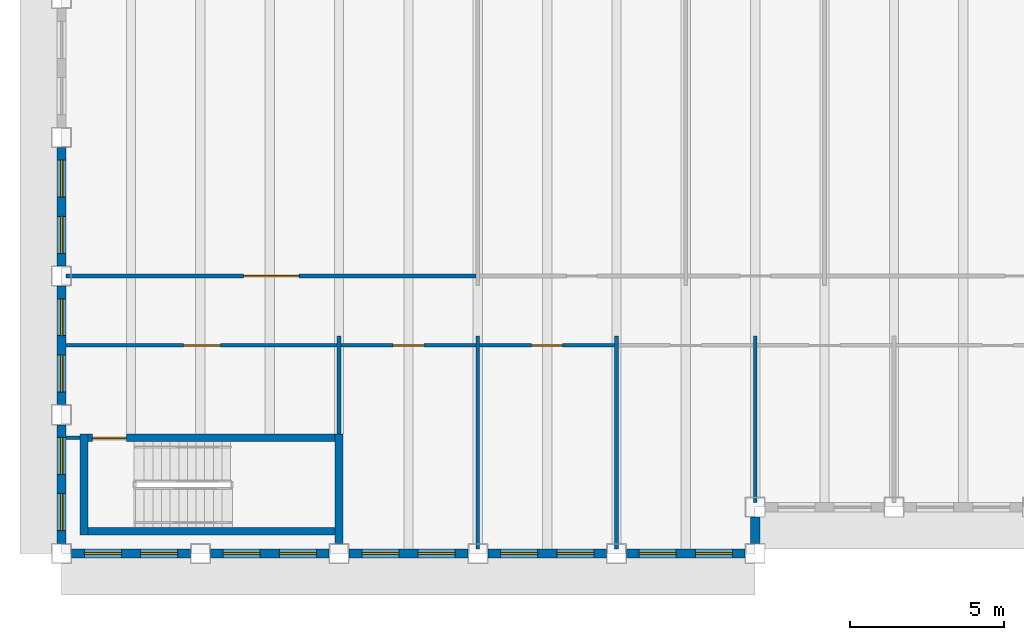
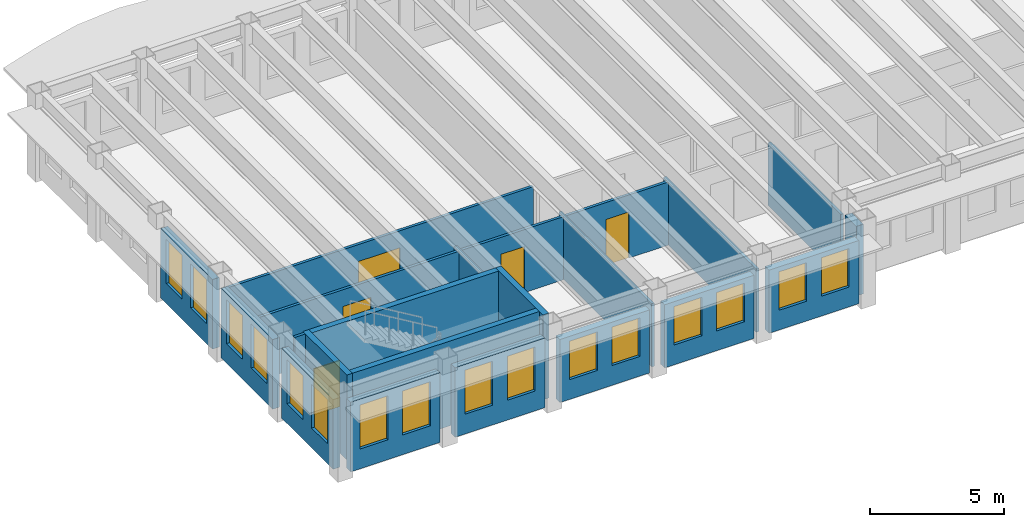
# One storey, part 2 of 12: 22 walls, 16 windows, 5 doors, 21 openings.
"""IFC4 building model written with IfcOpenShell, lengths in metres."""

from ifc_helpers import new_model, si_unit, direction, frame, frame_2d, origin, place, context, subcontext, project, spatial, rectangle, extrude, material, layer, layer_set, type_object, element, fill, save


model = new_model("IFC4")

# Units and contexts
model_context = context("Model", 3, precision=1e-05, world=origin(), true_north=direction((0.0, 1.0)))
body_context = subcontext(model_context, "Body", "Model", "MODEL_VIEW")
ifc_project = project(units=[si_unit("LENGTHUNIT", "METRE"), si_unit("AREAUNIT", "SQUARE_METRE"), si_unit("VOLUMEUNIT", "CUBIC_METRE"), si_unit("PLANEANGLEUNIT", "RADIAN"), si_unit("MASSUNIT", "GRAM", prefix="KILO")], contexts=[model_context])

# Site, building, storey
site_placement = place(None, origin())
site = spatial("IfcSite", under=ifc_project, at=site_placement, CompositionType="ELEMENT")
building_placement = place(site_placement, origin())
building = spatial("IfcBuilding", under=site, at=building_placement, Name="Sennacour Bend Tower", CompositionType="ELEMENT")
storey_placement = place(building_placement, frame((0.0, 0.0, 269.0)))
storey = spatial("IfcBuildingStorey", under=building, at=storey_placement, Name="L62", CompositionType="ELEMENT", Elevation=269.0)

# Walls
ifc_material_1 = material(Name="Plasterboard partition on steel studs", Category="steel")
ifc_layer_1 = layer(ifc_material_1, 0.1201171875, Name="Plasterboard partition on steel studs", Category="steel")
ifc_layer_set_1 = layer_set([ifc_layer_1], Name="Plasterboard partition on steel studs")
wall_type_1 = type_object("IfcWallType", Name="Partition 120", PredefinedType="PARTITIONING", material=ifc_layer_set_1)
wall_1_placement = place(storey_placement, frame((9.0, 3.875, 0.0), z_axis=(0.0, 0.0, 1.0), x_axis=(0.0, 1.0, 0.0)))
element("IfcWall", 1, at=wall_1_placement, inside=storey, type_object=wall_type_1, Name="P-L62-W005a", PredefinedType="PARTITIONING", context=body_context, shape_type="SweptSolid", body=[
    extrude(rectangle(XDim=3.175048828125, YDim=0.1201171875, at=frame_2d((1.58740234375, 0.0))), origin(), (0.0, 0.0, 1.0), 2.8701171875),
])
for number, where, z_axis, x_axis, name in (
    (2, (13.5, 0.14990234375, 0.0), (0.0, 0.0, 1.0), (0.0, 1.0, 0.0), "P-L62-W006a"),
    (3, (18.0, 0.14990234375, 0.0), (0.0, 0.0, 1.0), (0.0, 1.0, 0.0), "P-L62-W008a"),
):
    element("IfcWall", number, at=place(storey_placement, frame(where, z_axis=z_axis, x_axis=x_axis)), inside=storey, type_object=wall_type_1, Name=name, PredefinedType="PARTITIONING", context=body_context, shape_type="SweptSolid", body=[
        extrude(rectangle(XDim=6.900146484375, YDim=0.1201171875, at=frame_2d((3.4501953125, 0.0))), origin(), (0.0, 0.0, 1.0), 2.8701171875),
    ])
wall_2_placement = place(storey_placement, frame((22.5, 1.64990234375, 0.0), z_axis=(0.0, 0.0, 1.0), x_axis=(0.0, 1.0, 0.0)))
element("IfcWall", 4, at=wall_2_placement, inside=storey, type_object=wall_type_1, Name="P-L62-W010a", PredefinedType="PARTITIONING", context=body_context, shape_type="SweptSolid", body=[
    extrude(rectangle(XDim=5.400146484375, YDim=0.1201171875, at=frame_2d((2.7001953125, 0.0))), origin(), (0.0, 0.0, 1.0), 2.8701171875),
])
wall_3_placement = place(storey_placement, frame((0.14990234375, 3.75, 0.0), z_axis=(0.0, 0.0, 1.0), x_axis=(1.0, 0.0, 0.0)))
element("IfcWall", 5, at=wall_3_placement, inside=storey, type_object=wall_type_1, Name="P-L62-W037a", PredefinedType="PARTITIONING", context=body_context, shape_type="SweptSolid", body=[
    extrude(rectangle(XDim=0.4501953125, YDim=0.1201171875, at=frame_2d((0.22509765625, 0.0))), origin(), (0.0, 0.0, 1.0), 3.85009765625),
])

# Wall, opening, door
wall_4_placement = place(storey_placement, frame((9.06005859375, 6.75, 0.0), z_axis=(0.0, 0.0, 1.0), x_axis=(1.0, 0.0, 0.0)))
wall_4 = element("IfcWall", 6, at=wall_4_placement, inside=storey, type_object=wall_type_1, Name="P-L62-W043ab", PredefinedType="PARTITIONING", context=body_context, shape_type="SweptSolid", body=[
    extrude(rectangle(XDim=4.3798828125, YDim=0.1201171875, at=frame_2d((2.18994140625, 0.0))), origin(), (0.0, 0.0, 1.0), 2.8701171875),
])
opening_1_placement = place(wall_4_placement, frame((1.68994140625, 0.0, 0.0)))
opening_1 = element("IfcOpeningElement", 7, at=opening_1_placement, cuts=wall_4, Name="Opening OD2", PredefinedType="OPENING", context=body_context, shape_type="SweptSolid", body=[
    extrude(rectangle(XDim=1.0, YDim=2.10009765625, at=frame_2d((0.5, 1.050048828125))), frame((0.0, 0.070068359375, 0.0), z_axis=(0.0, -1.0, 0.0), x_axis=(1.0, 0.0, 0.0)), (0.0, 0.0, 1.0), 0.14013671875),
])
ifc_material_2 = material(Name="Timber", Category="wood")
door_type_1 = type_object("IfcDoorType", Name="DR-OFFICE-1000", OperationType="NOTDEFINED", PredefinedType="DOOR", material=ifc_material_2)
door_1_placement = place(opening_1_placement, origin())
door_1 = element("IfcDoor", 8, at=door_1_placement, inside=storey, type_object=door_type_1, Name="Door", OperationType="SINGLE_SWING_LEFT", OverallHeight=2.10009765625, OverallWidth=1.0, PredefinedType="DOOR", context=body_context, shape_type="SweptSolid", body=[
    extrude(rectangle(XDim=1.0, YDim=2.10009765625, at=frame_2d((0.5, 1.050048828125))), frame((0.0, 0.02490234375, 0.0), z_axis=(0.0, -1.0, 0.0), x_axis=(1.0, 0.0, 0.0)), (0.0, 0.0, 1.0), 0.050048828125),
])
fill(opening_1, door_1)

wall_5_placement = place(storey_placement, frame((13.56005859375, 6.75, 0.0), z_axis=(0.0, 0.0, 1.0), x_axis=(1.0, 0.0, 0.0)))
wall_5 = element("IfcWall", 9, at=wall_5_placement, inside=storey, type_object=wall_type_1, Name="P-L62-W043ac", PredefinedType="PARTITIONING", context=body_context, shape_type="SweptSolid", body=[
    extrude(rectangle(XDim=4.3798828125, YDim=0.1201171875, at=frame_2d((2.18994140625, 0.0))), origin(), (0.0, 0.0, 1.0), 2.8701171875),
])
opening_2_placement = place(wall_5_placement, frame((1.68994140625, 0.0, 0.0)))
opening_2 = element("IfcOpeningElement", 10, at=opening_2_placement, cuts=wall_5, Name="Opening OD2", PredefinedType="OPENING", context=body_context, shape_type="SweptSolid", body=[
    extrude(rectangle(XDim=1.0, YDim=2.10009765625, at=frame_2d((0.5, 1.050048828125))), frame((0.0, 0.070068359375, 0.0), z_axis=(0.0, -1.0, 0.0), x_axis=(1.0, 0.0, 0.0)), (0.0, 0.0, 1.0), 0.14013671875),
])
door_2_placement = place(opening_2_placement, origin())
door_2 = element("IfcDoor", 11, at=door_2_placement, inside=storey, type_object=door_type_1, Name="Door", OperationType="SINGLE_SWING_LEFT", OverallHeight=2.10009765625, OverallWidth=1.0, PredefinedType="DOOR", context=body_context, shape_type="SweptSolid", body=[
    extrude(rectangle(XDim=1.0, YDim=2.10009765625, at=frame_2d((0.5, 1.050048828125))), frame((0.0, 0.02490234375, 0.0), z_axis=(0.0, -1.0, 0.0), x_axis=(1.0, 0.0, 0.0)), (0.0, 0.0, 1.0), 0.050048828125),
])
fill(opening_2, door_2)

wall_6_placement = place(storey_placement, frame((0.14990234375, 9.0, 0.0), z_axis=(0.0, 0.0, 1.0), x_axis=(1.0, 0.0, 0.0)))
wall_6 = element("IfcWall", 12, at=wall_6_placement, inside=storey, type_object=wall_type_1, Name="P-L62-W044aa", PredefinedType="PARTITIONING", context=body_context, shape_type="SweptSolid", body=[
    extrude(rectangle(XDim=13.2900390625, YDim=0.1201171875, at=frame_2d((6.64501953125, 0.0))), origin(), (0.0, 0.0, 1.0), 2.8701171875),
])
opening_3_placement = place(wall_6_placement, frame((5.755126953125, 0.0, 0.0)))
opening_3 = element("IfcOpeningElement", 13, at=opening_3_placement, cuts=wall_6, Name="Opening OD3", PredefinedType="OPENING", context=body_context, shape_type="SweptSolid", body=[
    extrude(rectangle(XDim=1.800048828125, YDim=2.10009765625, at=frame_2d((0.89990234375, 1.050048828125))), frame((0.0, 0.070068359375, 0.0), z_axis=(0.0, -1.0, 0.0), x_axis=(1.0, 0.0, 0.0)), (0.0, 0.0, 1.0), 0.14013671875),
])
door_type_2 = type_object("IfcDoorType", Name="DR-OFFICE-1800", OperationType="NOTDEFINED", PredefinedType="DOOR", material=ifc_material_2)
door_3_placement = place(opening_3_placement, origin())
door_3 = element("IfcDoor", 14, at=door_3_placement, inside=storey, type_object=door_type_2, Name="Door", OperationType="DOUBLE_DOOR_SINGLE_SWING", OverallHeight=2.10009765625, OverallWidth=1.800048828125, PredefinedType="DOOR", context=body_context, shape_type="SweptSolid", body=[
    extrude(rectangle(XDim=1.800048828125, YDim=2.10009765625, at=frame_2d((0.89990234375, 1.050048828125))), frame((0.0, 0.02490234375, 0.0), z_axis=(0.0, -1.0, 0.0), x_axis=(1.0, 0.0, 0.0)), (0.0, 0.0, 1.0), 0.050048828125),
])
fill(opening_3, door_3)

ifc_layer_2 = layer(ifc_material_1, 0.1201171875, Name="Plasterboard partition on steel studs", Category="steel")
ifc_layer_set_2 = layer_set([ifc_layer_2], Name="Plasterboard partition on steel studs")
wall_type_2 = type_object("IfcWallType", Name="Partition 120 EI 30", PredefinedType="PARTITIONING", material=ifc_layer_set_2)
wall_7_placement = place(storey_placement, frame((0.14990234375, 6.75, 0.0), z_axis=(0.0, 0.0, 1.0), x_axis=(1.0, 0.0, 0.0)))
wall_7 = element("IfcWall", 15, at=wall_7_placement, inside=storey, type_object=wall_type_2, Name="P-L62-W043aa", PredefinedType="PARTITIONING", context=body_context, shape_type="SweptSolid", body=[
    extrude(rectangle(XDim=8.7900390625, YDim=0.1201171875, at=frame_2d((4.39501953125, 0.0))), origin(), (0.0, 0.0, 1.0), 2.8701171875),
])
opening_4_placement = place(wall_7_placement, frame((3.80517578125, 0.0, 0.0)))
opening_4 = element("IfcOpeningElement", 16, at=opening_4_placement, cuts=wall_7, Name="Opening KD2", PredefinedType="OPENING", context=body_context, shape_type="SweptSolid", body=[
    extrude(rectangle(XDim=1.199951171875, YDim=2.10009765625, at=frame_2d((0.60009765625, 1.050048828125))), frame((0.0, 0.070068359375, 0.0), z_axis=(0.0, -1.0, 0.0), x_axis=(1.0, 0.0, 0.0)), (0.0, 0.0, 1.0), 0.14013671875),
])
ifc_material_3 = material(Name="Painted steel", Category="steel")
door_type_3 = type_object("IfcDoorType", Name="DR-CORRIDOR-1200", OperationType="NOTDEFINED", PredefinedType="DOOR", material=ifc_material_3)
door_4_placement = place(opening_4_placement, origin())
door_4 = element("IfcDoor", 17, at=door_4_placement, inside=storey, type_object=door_type_3, Name="Door", OperationType="SINGLE_SWING_LEFT", OverallHeight=2.10009765625, OverallWidth=1.199951171875, PredefinedType="DOOR", context=body_context, shape_type="SweptSolid", body=[
    extrude(rectangle(XDim=1.199951171875, YDim=2.10009765625, at=frame_2d((0.60009765625, 1.050048828125))), frame((0.0, 0.02490234375, 0.0), z_axis=(0.0, -1.0, 0.0), x_axis=(1.0, 0.0, 0.0)), (0.0, 0.0, 1.0), 0.050048828125),
])
fill(opening_4, door_4)

# Wall
ifc_material_4 = material(Name="Warm limestone cladding", Category="masonry")
ifc_layer_3 = layer(ifc_material_4, 0.050048828125, Name="Warm limestone cladding", Category="masonry")
ifc_material_5 = material(Name="Precast concrete C40/50", Category="concrete")
ifc_layer_4 = layer(ifc_material_5, 0.25, Name="Precast concrete C40/50", Category="concrete")
ifc_layer_set_3 = layer_set([ifc_layer_3, ifc_layer_4], Name="Precast concrete C40/50 with limestone cladding")
wall_type_3 = type_object("IfcWallType", Name="STONE-CLAD PRECAST SPANDREL 300", PredefinedType="STANDARD", material=ifc_layer_set_3)
wall_8_placement = place(storey_placement, frame((22.5, 0.324951171875, 0.0), z_axis=(0.0, 0.0, 1.0), x_axis=(0.0, 1.0, 0.0)))
element("IfcWall", 18, at=wall_8_placement, inside=storey, type_object=wall_type_3, Name="Stone spandrel and pier wall L62 00.00", PredefinedType="STANDARD", context=body_context, shape_type="SweptSolid", body=[
    extrude(rectangle(XDim=0.85009765625, YDim=0.300048828125, at=frame_2d((0.425048828125, 0.0))), origin(), (0.0, 0.0, 1.0), 3.162109375),
])

# Wall, openings, windows
wall_9_placement = place(storey_placement, frame((0.0, 13.175048828125, 0.0), z_axis=(0.0, 0.0, 1.0), x_axis=(0.0, -1.0, 0.0)))
wall_9 = element("IfcWall", 19, at=wall_9_placement, inside=storey, type_object=wall_type_3, Name="Stone spandrel and pier wall L62 10.02", PredefinedType="STANDARD", context=body_context, shape_type="SweptSolid", body=[
    extrude(rectangle(XDim=3.85009765625, YDim=0.300048828125, at=frame_2d((1.925048828125, 0.0))), origin(), (0.0, 0.0, 1.0), 3.162109375),
])
opening_5_placement = place(wall_9_placement, frame((0.41259765625, 0.0, 0.89990234375)))
opening_5 = element("IfcOpeningElement", 20, at=opening_5_placement, cuts=wall_9, Name="Opening W14", PredefinedType="OPENING", context=body_context, shape_type="SweptSolid", body=[
    extrude(rectangle(XDim=1.199951171875, YDim=2.0, at=frame_2d((0.60009765625, 1.0))), frame((0.0, 0.16015625, 0.0), z_axis=(0.0, -1.0, 0.0), x_axis=(1.0, 0.0, 0.0)), (0.0, 0.0, 1.0), 0.320068359375),
])
opening_6_placement = place(wall_9_placement, frame((2.237548828125, 0.0, 0.89990234375)))
opening_6 = element("IfcOpeningElement", 21, at=opening_6_placement, cuts=wall_9, Name="Opening W14", PredefinedType="OPENING", context=body_context, shape_type="SweptSolid", body=[
    extrude(rectangle(XDim=1.199951171875, YDim=2.0, at=frame_2d((0.60009765625, 1.0))), frame((0.0, 0.16015625, 0.0), z_axis=(0.0, -1.0, 0.0), x_axis=(1.0, 0.0, 0.0)), (0.0, 0.0, 1.0), 0.320068359375),
])
ifc_material_6 = material(Name="Clear low-emissivity glass", Category="glass")
window_type_1 = type_object("IfcWindowType", Name="WIN-RIBBON-1200x2000", PartitioningType="SINGLE_PANEL", PredefinedType="WINDOW", material=ifc_material_6)
window_1_placement = place(opening_5_placement, origin())
window_1 = element("IfcWindow", 22, at=window_1_placement, inside=storey, type_object=window_type_1, Name="Ribbon window L62 10.02.0", OverallHeight=2.0, OverallWidth=1.199951171875, PartitioningType="SINGLE_PANEL", PredefinedType="WINDOW", context=body_context, shape_type="SweptSolid", body=[
    extrude(rectangle(XDim=1.199951171875, YDim=2.0, at=frame_2d((0.60009765625, 1.0))), frame((0.0, 0.030029296875, 0.0), z_axis=(0.0, -1.0, 0.0), x_axis=(1.0, 0.0, 0.0)), (0.0, 0.0, 1.0), 0.06005859375),
])
fill(opening_5, window_1)
window_2_placement = place(opening_6_placement, origin())
window_2 = element("IfcWindow", 23, at=window_2_placement, inside=storey, type_object=window_type_1, Name="Ribbon window L62 10.02.1", OverallHeight=2.0, OverallWidth=1.199951171875, PartitioningType="SINGLE_PANEL", PredefinedType="WINDOW", context=body_context, shape_type="SweptSolid", body=[
    extrude(rectangle(XDim=1.199951171875, YDim=2.0, at=frame_2d((0.60009765625, 1.0))), frame((0.0, 0.030029296875, 0.0), z_axis=(0.0, -1.0, 0.0), x_axis=(1.0, 0.0, 0.0)), (0.0, 0.0, 1.0), 0.06005859375),
])
fill(opening_6, window_2)

wall_10_placement = place(storey_placement, frame((0.0, 8.675048828125, 0.0), z_axis=(0.0, 0.0, 1.0), x_axis=(0.0, -1.0, 0.0)))
wall_10 = element("IfcWall", 24, at=wall_10_placement, inside=storey, type_object=wall_type_3, Name="Stone spandrel and pier wall L62 10.03", PredefinedType="STANDARD", context=body_context, shape_type="SweptSolid", body=[
    extrude(rectangle(XDim=3.85009765625, YDim=0.300048828125, at=frame_2d((1.925048828125, 0.0))), origin(), (0.0, 0.0, 1.0), 3.162109375),
])
opening_7_placement = place(wall_10_placement, frame((0.41259765625, 0.0, 0.89990234375)))
opening_7 = element("IfcOpeningElement", 25, at=opening_7_placement, cuts=wall_10, Name="Opening W14", PredefinedType="OPENING", context=body_context, shape_type="SweptSolid", body=[
    extrude(rectangle(XDim=1.199951171875, YDim=2.0, at=frame_2d((0.60009765625, 1.0))), frame((0.0, 0.16015625, 0.0), z_axis=(0.0, -1.0, 0.0), x_axis=(1.0, 0.0, 0.0)), (0.0, 0.0, 1.0), 0.320068359375),
])
opening_8_placement = place(wall_10_placement, frame((2.237548828125, 0.0, 0.89990234375)))
opening_8 = element("IfcOpeningElement", 26, at=opening_8_placement, cuts=wall_10, Name="Opening W14", PredefinedType="OPENING", context=body_context, shape_type="SweptSolid", body=[
    extrude(rectangle(XDim=1.199951171875, YDim=2.0, at=frame_2d((0.60009765625, 1.0))), frame((0.0, 0.16015625, 0.0), z_axis=(0.0, -1.0, 0.0), x_axis=(1.0, 0.0, 0.0)), (0.0, 0.0, 1.0), 0.320068359375),
])
window_3_placement = place(opening_7_placement, origin())
window_3 = element("IfcWindow", 27, at=window_3_placement, inside=storey, type_object=window_type_1, Name="Ribbon window L62 10.03.0", OverallHeight=2.0, OverallWidth=1.199951171875, PartitioningType="SINGLE_PANEL", PredefinedType="WINDOW", context=body_context, shape_type="SweptSolid", body=[
    extrude(rectangle(XDim=1.199951171875, YDim=2.0, at=frame_2d((0.60009765625, 1.0))), frame((0.0, 0.030029296875, 0.0), z_axis=(0.0, -1.0, 0.0), x_axis=(1.0, 0.0, 0.0)), (0.0, 0.0, 1.0), 0.06005859375),
])
fill(opening_7, window_3)
window_4_placement = place(opening_8_placement, origin())
window_4 = element("IfcWindow", 28, at=window_4_placement, inside=storey, type_object=window_type_1, Name="Ribbon window L62 10.03.1", OverallHeight=2.0, OverallWidth=1.199951171875, PartitioningType="SINGLE_PANEL", PredefinedType="WINDOW", context=body_context, shape_type="SweptSolid", body=[
    extrude(rectangle(XDim=1.199951171875, YDim=2.0, at=frame_2d((0.60009765625, 1.0))), frame((0.0, 0.030029296875, 0.0), z_axis=(0.0, -1.0, 0.0), x_axis=(1.0, 0.0, 0.0)), (0.0, 0.0, 1.0), 0.06005859375),
])
fill(opening_8, window_4)

wall_11_placement = place(storey_placement, frame((0.0, 4.175048828125, 0.0), z_axis=(0.0, 0.0, 1.0), x_axis=(0.0, -1.0, 0.0)))
wall_11 = element("IfcWall", 29, at=wall_11_placement, inside=storey, type_object=wall_type_3, Name="Stone spandrel and pier wall L62 10.04", PredefinedType="STANDARD", context=body_context, shape_type="SweptSolid", body=[
    extrude(rectangle(XDim=3.85009765625, YDim=0.300048828125, at=frame_2d((1.925048828125, 0.0))), origin(), (0.0, 0.0, 1.0), 3.162109375),
])
opening_9_placement = place(wall_11_placement, frame((0.41259765625, 0.0, 0.89990234375)))
opening_9 = element("IfcOpeningElement", 30, at=opening_9_placement, cuts=wall_11, Name="Opening W14", PredefinedType="OPENING", context=body_context, shape_type="SweptSolid", body=[
    extrude(rectangle(XDim=1.199951171875, YDim=2.0, at=frame_2d((0.60009765625, 1.0))), frame((0.0, 0.16015625, 0.0), z_axis=(0.0, -1.0, 0.0), x_axis=(1.0, 0.0, 0.0)), (0.0, 0.0, 1.0), 0.320068359375),
])
opening_10_placement = place(wall_11_placement, frame((2.237548828125, 0.0, 0.89990234375)))
opening_10 = element("IfcOpeningElement", 31, at=opening_10_placement, cuts=wall_11, Name="Opening W14", PredefinedType="OPENING", context=body_context, shape_type="SweptSolid", body=[
    extrude(rectangle(XDim=1.199951171875, YDim=2.0, at=frame_2d((0.60009765625, 1.0))), frame((0.0, 0.16015625, 0.0), z_axis=(0.0, -1.0, 0.0), x_axis=(1.0, 0.0, 0.0)), (0.0, 0.0, 1.0), 0.320068359375),
])
window_5_placement = place(opening_9_placement, origin())
window_5 = element("IfcWindow", 32, at=window_5_placement, inside=storey, type_object=window_type_1, Name="Ribbon window L62 10.04.0", OverallHeight=2.0, OverallWidth=1.199951171875, PartitioningType="SINGLE_PANEL", PredefinedType="WINDOW", context=body_context, shape_type="SweptSolid", body=[
    extrude(rectangle(XDim=1.199951171875, YDim=2.0, at=frame_2d((0.60009765625, 1.0))), frame((0.0, 0.030029296875, 0.0), z_axis=(0.0, -1.0, 0.0), x_axis=(1.0, 0.0, 0.0)), (0.0, 0.0, 1.0), 0.06005859375),
])
fill(opening_9, window_5)
window_6_placement = place(opening_10_placement, origin())
window_6 = element("IfcWindow", 33, at=window_6_placement, inside=storey, type_object=window_type_1, Name="Ribbon window L62 10.04.1", OverallHeight=2.0, OverallWidth=1.199951171875, PartitioningType="SINGLE_PANEL", PredefinedType="WINDOW", context=body_context, shape_type="SweptSolid", body=[
    extrude(rectangle(XDim=1.199951171875, YDim=2.0, at=frame_2d((0.60009765625, 1.0))), frame((0.0, 0.030029296875, 0.0), z_axis=(0.0, -1.0, 0.0), x_axis=(1.0, 0.0, 0.0)), (0.0, 0.0, 1.0), 0.06005859375),
])
fill(opening_10, window_6)

wall_12_placement = place(storey_placement, frame((0.324951171875, 0.0, 0.0), z_axis=(0.0, 0.0, 1.0), x_axis=(1.0, 0.0, 0.0)))
wall_12 = element("IfcWall", 34, at=wall_12_placement, inside=storey, type_object=wall_type_3, Name="Stone spandrel and pier wall L62 11.00", PredefinedType="STANDARD", context=body_context, shape_type="SweptSolid", body=[
    extrude(rectangle(XDim=3.85009765625, YDim=0.300048828125, at=frame_2d((1.925048828125, 0.0))), origin(), (0.0, 0.0, 1.0), 3.162109375),
])
opening_11_placement = place(wall_12_placement, frame((0.41259765625, 0.0, 0.89990234375)))
opening_11 = element("IfcOpeningElement", 35, at=opening_11_placement, cuts=wall_12, Name="Opening W14", PredefinedType="OPENING", context=body_context, shape_type="SweptSolid", body=[
    extrude(rectangle(XDim=1.199951171875, YDim=2.0, at=frame_2d((0.60009765625, 1.0))), frame((0.0, 0.16015625, 0.0), z_axis=(0.0, -1.0, 0.0), x_axis=(1.0, 0.0, 0.0)), (0.0, 0.0, 1.0), 0.320068359375),
])
opening_12_placement = place(wall_12_placement, frame((2.237548828125, 0.0, 0.89990234375)))
opening_12 = element("IfcOpeningElement", 36, at=opening_12_placement, cuts=wall_12, Name="Opening W14", PredefinedType="OPENING", context=body_context, shape_type="SweptSolid", body=[
    extrude(rectangle(XDim=1.199951171875, YDim=2.0, at=frame_2d((0.60009765625, 1.0))), frame((0.0, 0.16015625, 0.0), z_axis=(0.0, -1.0, 0.0), x_axis=(1.0, 0.0, 0.0)), (0.0, 0.0, 1.0), 0.320068359375),
])
window_7_placement = place(opening_11_placement, origin())
window_7 = element("IfcWindow", 37, at=window_7_placement, inside=storey, type_object=window_type_1, Name="Ribbon window L62 11.00.0", OverallHeight=2.0, OverallWidth=1.199951171875, PartitioningType="SINGLE_PANEL", PredefinedType="WINDOW", context=body_context, shape_type="SweptSolid", body=[
    extrude(rectangle(XDim=1.199951171875, YDim=2.0, at=frame_2d((0.60009765625, 1.0))), frame((0.0, 0.030029296875, 0.0), z_axis=(0.0, -1.0, 0.0), x_axis=(1.0, 0.0, 0.0)), (0.0, 0.0, 1.0), 0.06005859375),
])
fill(opening_11, window_7)
window_8_placement = place(opening_12_placement, origin())
window_8 = element("IfcWindow", 38, at=window_8_placement, inside=storey, type_object=window_type_1, Name="Ribbon window L62 11.00.1", OverallHeight=2.0, OverallWidth=1.199951171875, PartitioningType="SINGLE_PANEL", PredefinedType="WINDOW", context=body_context, shape_type="SweptSolid", body=[
    extrude(rectangle(XDim=1.199951171875, YDim=2.0, at=frame_2d((0.60009765625, 1.0))), frame((0.0, 0.030029296875, 0.0), z_axis=(0.0, -1.0, 0.0), x_axis=(1.0, 0.0, 0.0)), (0.0, 0.0, 1.0), 0.06005859375),
])
fill(opening_12, window_8)

wall_13_placement = place(storey_placement, frame((4.824951171875, 0.0, 0.0), z_axis=(0.0, 0.0, 1.0), x_axis=(1.0, 0.0, 0.0)))
wall_13 = element("IfcWall", 39, at=wall_13_placement, inside=storey, type_object=wall_type_3, Name="Stone spandrel and pier wall L62 11.01", PredefinedType="STANDARD", context=body_context, shape_type="SweptSolid", body=[
    extrude(rectangle(XDim=3.85009765625, YDim=0.300048828125, at=frame_2d((1.925048828125, 0.0))), origin(), (0.0, 0.0, 1.0), 3.162109375),
])
opening_13_placement = place(wall_13_placement, frame((0.41259765625, 0.0, 0.89990234375)))
opening_13 = element("IfcOpeningElement", 40, at=opening_13_placement, cuts=wall_13, Name="Opening W14", PredefinedType="OPENING", context=body_context, shape_type="SweptSolid", body=[
    extrude(rectangle(XDim=1.199951171875, YDim=2.0, at=frame_2d((0.60009765625, 1.0))), frame((0.0, 0.16015625, 0.0), z_axis=(0.0, -1.0, 0.0), x_axis=(1.0, 0.0, 0.0)), (0.0, 0.0, 1.0), 0.320068359375),
])
opening_14_placement = place(wall_13_placement, frame((2.237548828125, 0.0, 0.89990234375)))
opening_14 = element("IfcOpeningElement", 41, at=opening_14_placement, cuts=wall_13, Name="Opening W14", PredefinedType="OPENING", context=body_context, shape_type="SweptSolid", body=[
    extrude(rectangle(XDim=1.199951171875, YDim=2.0, at=frame_2d((0.60009765625, 1.0))), frame((0.0, 0.16015625, 0.0), z_axis=(0.0, -1.0, 0.0), x_axis=(1.0, 0.0, 0.0)), (0.0, 0.0, 1.0), 0.320068359375),
])
window_9_placement = place(opening_13_placement, origin())
window_9 = element("IfcWindow", 42, at=window_9_placement, inside=storey, type_object=window_type_1, Name="Ribbon window L62 11.01.0", OverallHeight=2.0, OverallWidth=1.199951171875, PartitioningType="SINGLE_PANEL", PredefinedType="WINDOW", context=body_context, shape_type="SweptSolid", body=[
    extrude(rectangle(XDim=1.199951171875, YDim=2.0, at=frame_2d((0.60009765625, 1.0))), frame((0.0, 0.030029296875, 0.0), z_axis=(0.0, -1.0, 0.0), x_axis=(1.0, 0.0, 0.0)), (0.0, 0.0, 1.0), 0.06005859375),
])
fill(opening_13, window_9)
window_10_placement = place(opening_14_placement, origin())
window_10 = element("IfcWindow", 43, at=window_10_placement, inside=storey, type_object=window_type_1, Name="Ribbon window L62 11.01.1", OverallHeight=2.0, OverallWidth=1.199951171875, PartitioningType="SINGLE_PANEL", PredefinedType="WINDOW", context=body_context, shape_type="SweptSolid", body=[
    extrude(rectangle(XDim=1.199951171875, YDim=2.0, at=frame_2d((0.60009765625, 1.0))), frame((0.0, 0.030029296875, 0.0), z_axis=(0.0, -1.0, 0.0), x_axis=(1.0, 0.0, 0.0)), (0.0, 0.0, 1.0), 0.06005859375),
])
fill(opening_14, window_10)

wall_14_placement = place(storey_placement, frame((9.324951171875, 0.0, 0.0), z_axis=(0.0, 0.0, 1.0), x_axis=(1.0, 0.0, 0.0)))
wall_14 = element("IfcWall", 44, at=wall_14_placement, inside=storey, type_object=wall_type_3, Name="Stone spandrel and pier wall L62 11.02", PredefinedType="STANDARD", context=body_context, shape_type="SweptSolid", body=[
    extrude(rectangle(XDim=3.85009765625, YDim=0.300048828125, at=frame_2d((1.925048828125, 0.0))), origin(), (0.0, 0.0, 1.0), 2.8701171875),
])
opening_15_placement = place(wall_14_placement, frame((0.41259765625, 0.0, 0.89990234375)))
opening_15 = element("IfcOpeningElement", 45, at=opening_15_placement, cuts=wall_14, Name="Opening W16", PredefinedType="OPENING", context=body_context, shape_type="SweptSolid", body=[
    extrude(rectangle(XDim=1.199951171875, YDim=1.75, at=frame_2d((0.60009765625, 0.875))), frame((0.0, 0.16015625, 0.0), z_axis=(0.0, -1.0, 0.0), x_axis=(1.0, 0.0, 0.0)), (0.0, 0.0, 1.0), 0.320068359375),
])
opening_16_placement = place(wall_14_placement, frame((2.237548828125, 0.0, 0.89990234375)))
opening_16 = element("IfcOpeningElement", 46, at=opening_16_placement, cuts=wall_14, Name="Opening W16", PredefinedType="OPENING", context=body_context, shape_type="SweptSolid", body=[
    extrude(rectangle(XDim=1.199951171875, YDim=1.75, at=frame_2d((0.60009765625, 0.875))), frame((0.0, 0.16015625, 0.0), z_axis=(0.0, -1.0, 0.0), x_axis=(1.0, 0.0, 0.0)), (0.0, 0.0, 1.0), 0.320068359375),
])
window_type_2 = type_object("IfcWindowType", Name="WIN-RIBBON-1200x1750", PartitioningType="SINGLE_PANEL", PredefinedType="WINDOW", material=ifc_material_6)
window_11_placement = place(opening_15_placement, origin())
window_11 = element("IfcWindow", 47, at=window_11_placement, inside=storey, type_object=window_type_2, Name="Ribbon window L62 11.02.0", OverallHeight=1.75, OverallWidth=1.199951171875, PartitioningType="SINGLE_PANEL", PredefinedType="WINDOW", context=body_context, shape_type="SweptSolid", body=[
    extrude(rectangle(XDim=1.199951171875, YDim=1.75, at=frame_2d((0.60009765625, 0.875))), frame((0.0, 0.030029296875, 0.0), z_axis=(0.0, -1.0, 0.0), x_axis=(1.0, 0.0, 0.0)), (0.0, 0.0, 1.0), 0.06005859375),
])
fill(opening_15, window_11)
window_12_placement = place(opening_16_placement, origin())
window_12 = element("IfcWindow", 48, at=window_12_placement, inside=storey, type_object=window_type_2, Name="Ribbon window L62 11.02.1", OverallHeight=1.75, OverallWidth=1.199951171875, PartitioningType="SINGLE_PANEL", PredefinedType="WINDOW", context=body_context, shape_type="SweptSolid", body=[
    extrude(rectangle(XDim=1.199951171875, YDim=1.75, at=frame_2d((0.60009765625, 0.875))), frame((0.0, 0.030029296875, 0.0), z_axis=(0.0, -1.0, 0.0), x_axis=(1.0, 0.0, 0.0)), (0.0, 0.0, 1.0), 0.06005859375),
])
fill(opening_16, window_12)

wall_15_placement = place(storey_placement, frame((13.824951171875, 0.0, 0.0), z_axis=(0.0, 0.0, 1.0), x_axis=(1.0, 0.0, 0.0)))
wall_15 = element("IfcWall", 49, at=wall_15_placement, inside=storey, type_object=wall_type_3, Name="Stone spandrel and pier wall L62 11.03", PredefinedType="STANDARD", context=body_context, shape_type="SweptSolid", body=[
    extrude(rectangle(XDim=3.85009765625, YDim=0.300048828125, at=frame_2d((1.925048828125, 0.0))), origin(), (0.0, 0.0, 1.0), 2.8701171875),
])
opening_17_placement = place(wall_15_placement, frame((0.41259765625, 0.0, 0.89990234375)))
opening_17 = element("IfcOpeningElement", 50, at=opening_17_placement, cuts=wall_15, Name="Opening W16", PredefinedType="OPENING", context=body_context, shape_type="SweptSolid", body=[
    extrude(rectangle(XDim=1.199951171875, YDim=1.75, at=frame_2d((0.60009765625, 0.875))), frame((0.0, 0.16015625, 0.0), z_axis=(0.0, -1.0, 0.0), x_axis=(1.0, 0.0, 0.0)), (0.0, 0.0, 1.0), 0.320068359375),
])
opening_18_placement = place(wall_15_placement, frame((2.237548828125, 0.0, 0.89990234375)))
opening_18 = element("IfcOpeningElement", 51, at=opening_18_placement, cuts=wall_15, Name="Opening W16", PredefinedType="OPENING", context=body_context, shape_type="SweptSolid", body=[
    extrude(rectangle(XDim=1.199951171875, YDim=1.75, at=frame_2d((0.60009765625, 0.875))), frame((0.0, 0.16015625, 0.0), z_axis=(0.0, -1.0, 0.0), x_axis=(1.0, 0.0, 0.0)), (0.0, 0.0, 1.0), 0.320068359375),
])
window_13_placement = place(opening_17_placement, origin())
window_13 = element("IfcWindow", 52, at=window_13_placement, inside=storey, type_object=window_type_2, Name="Ribbon window L62 11.03.0", OverallHeight=1.75, OverallWidth=1.199951171875, PartitioningType="SINGLE_PANEL", PredefinedType="WINDOW", context=body_context, shape_type="SweptSolid", body=[
    extrude(rectangle(XDim=1.199951171875, YDim=1.75, at=frame_2d((0.60009765625, 0.875))), frame((0.0, 0.030029296875, 0.0), z_axis=(0.0, -1.0, 0.0), x_axis=(1.0, 0.0, 0.0)), (0.0, 0.0, 1.0), 0.06005859375),
])
fill(opening_17, window_13)
window_14_placement = place(opening_18_placement, origin())
window_14 = element("IfcWindow", 53, at=window_14_placement, inside=storey, type_object=window_type_2, Name="Ribbon window L62 11.03.1", OverallHeight=1.75, OverallWidth=1.199951171875, PartitioningType="SINGLE_PANEL", PredefinedType="WINDOW", context=body_context, shape_type="SweptSolid", body=[
    extrude(rectangle(XDim=1.199951171875, YDim=1.75, at=frame_2d((0.60009765625, 0.875))), frame((0.0, 0.030029296875, 0.0), z_axis=(0.0, -1.0, 0.0), x_axis=(1.0, 0.0, 0.0)), (0.0, 0.0, 1.0), 0.06005859375),
])
fill(opening_18, window_14)

wall_16_placement = place(storey_placement, frame((18.324951171875, 0.0, 0.0), z_axis=(0.0, 0.0, 1.0), x_axis=(1.0, 0.0, 0.0)))
wall_16 = element("IfcWall", 54, at=wall_16_placement, inside=storey, type_object=wall_type_3, Name="Stone spandrel and pier wall L62 11.04", PredefinedType="STANDARD", context=body_context, shape_type="SweptSolid", body=[
    extrude(rectangle(XDim=3.85009765625, YDim=0.300048828125, at=frame_2d((1.925048828125, 0.0))), origin(), (0.0, 0.0, 1.0), 2.8701171875),
])
opening_19_placement = place(wall_16_placement, frame((0.41259765625, 0.0, 0.89990234375)))
opening_19 = element("IfcOpeningElement", 55, at=opening_19_placement, cuts=wall_16, Name="Opening W16", PredefinedType="OPENING", context=body_context, shape_type="SweptSolid", body=[
    extrude(rectangle(XDim=1.199951171875, YDim=1.75, at=frame_2d((0.60009765625, 0.875))), frame((0.0, 0.16015625, 0.0), z_axis=(0.0, -1.0, 0.0), x_axis=(1.0, 0.0, 0.0)), (0.0, 0.0, 1.0), 0.320068359375),
])
opening_20_placement = place(wall_16_placement, frame((2.237548828125, 0.0, 0.89990234375)))
opening_20 = element("IfcOpeningElement", 56, at=opening_20_placement, cuts=wall_16, Name="Opening W16", PredefinedType="OPENING", context=body_context, shape_type="SweptSolid", body=[
    extrude(rectangle(XDim=1.199951171875, YDim=1.75, at=frame_2d((0.60009765625, 0.875))), frame((0.0, 0.16015625, 0.0), z_axis=(0.0, -1.0, 0.0), x_axis=(1.0, 0.0, 0.0)), (0.0, 0.0, 1.0), 0.320068359375),
])
window_15_placement = place(opening_19_placement, origin())
window_15 = element("IfcWindow", 57, at=window_15_placement, inside=storey, type_object=window_type_2, Name="Ribbon window L62 11.04.0", OverallHeight=1.75, OverallWidth=1.199951171875, PartitioningType="SINGLE_PANEL", PredefinedType="WINDOW", context=body_context, shape_type="SweptSolid", body=[
    extrude(rectangle(XDim=1.199951171875, YDim=1.75, at=frame_2d((0.60009765625, 0.875))), frame((0.0, 0.030029296875, 0.0), z_axis=(0.0, -1.0, 0.0), x_axis=(1.0, 0.0, 0.0)), (0.0, 0.0, 1.0), 0.06005859375),
])
fill(opening_19, window_15)
window_16_placement = place(opening_20_placement, origin())
window_16 = element("IfcWindow", 58, at=window_16_placement, inside=storey, type_object=window_type_2, Name="Ribbon window L62 11.04.1", OverallHeight=1.75, OverallWidth=1.199951171875, PartitioningType="SINGLE_PANEL", PredefinedType="WINDOW", context=body_context, shape_type="SweptSolid", body=[
    extrude(rectangle(XDim=1.199951171875, YDim=1.75, at=frame_2d((0.60009765625, 0.875))), frame((0.0, 0.030029296875, 0.0), z_axis=(0.0, -1.0, 0.0), x_axis=(1.0, 0.0, 0.0)), (0.0, 0.0, 1.0), 0.06005859375),
])
fill(opening_20, window_16)

# Walls
ifc_material_7 = material(Name="Concrete C60/75", Category="concrete")
ifc_layer_5 = layer(ifc_material_7, 0.25, Name="Concrete C60/75", Category="concrete")
ifc_layer_set_4 = layer_set([ifc_layer_5], Name="Concrete C60/75")
wall_type_4 = type_object("IfcWallType", Name="Stair wall 250", PredefinedType="SHEAR", material=ifc_layer_set_4)
wall_17_placement = place(storey_placement, frame((0.72509765625, 0.60009765625, 0.0), z_axis=(0.0, 0.0, 1.0), x_axis=(0.0, 1.0, 0.0)))
element("IfcWall", 59, at=wall_17_placement, inside=storey, type_object=wall_type_4, Name="P-L62-W002", PredefinedType="SHEAR", context=body_context, shape_type="SweptSolid", body=[
    extrude(rectangle(XDim=3.27490234375, YDim=0.25, at=frame_2d((1.637451171875, 0.0))), origin(), (0.0, 0.0, 1.0), 3.85009765625),
])
wall_18_placement = place(storey_placement, frame((9.0, 0.324951171875, 0.0), z_axis=(0.0, 0.0, 1.0), x_axis=(0.0, 1.0, 0.0)))
element("IfcWall", 60, at=wall_18_placement, inside=storey, type_object=wall_type_4, Name="P-L62-W004", PredefinedType="SHEAR", context=body_context, shape_type="SweptSolid", body=[
    extrude(rectangle(XDim=3.550048828125, YDim=0.25, at=frame_2d((1.77490234375, 0.0))), origin(), (0.0, 0.0, 1.0), 3.85009765625),
])
wall_19_placement = place(storey_placement, frame((0.85009765625, 0.72509765625, 0.0), z_axis=(0.0, 0.0, 1.0), x_axis=(1.0, 0.0, 0.0)))
element("IfcWall", 61, at=wall_19_placement, inside=storey, type_object=wall_type_4, Name="P-L62-W034", PredefinedType="SHEAR", context=body_context, shape_type="SweptSolid", body=[
    extrude(rectangle(XDim=8.02490234375, YDim=0.25, at=frame_2d((4.012451171875, 0.0))), origin(), (0.0, 0.0, 1.0), 3.85009765625),
])

# Wall, opening, door
wall_20_placement = place(storey_placement, frame((0.85009765625, 3.75, 0.0), z_axis=(0.0, 0.0, 1.0), x_axis=(1.0, 0.0, 0.0)))
wall_20 = element("IfcWall", 62, at=wall_20_placement, inside=storey, type_object=wall_type_4, Name="P-L62-W038", PredefinedType="SHEAR", context=body_context, shape_type="SweptSolid", body=[
    extrude(rectangle(XDim=8.02490234375, YDim=0.25, at=frame_2d((4.012451171875, 0.0))), origin(), (0.0, 0.0, 1.0), 3.85009765625),
])
opening_21_placement = place(wall_20_placement, frame((0.14990234375, 0.0, 0.0)))
opening_21 = element("IfcOpeningElement", 63, at=opening_21_placement, cuts=wall_20, Name="Opening SD", PredefinedType="OPENING", context=body_context, shape_type="SweptSolid", body=[
    extrude(rectangle(XDim=1.10009765625, YDim=2.10009765625, at=frame_2d((0.550048828125, 1.050048828125))), frame((0.0, 0.135009765625, 0.0), z_axis=(0.0, -1.0, 0.0), x_axis=(1.0, 0.0, 0.0)), (0.0, 0.0, 1.0), 0.27001953125),
])
door_type_4 = type_object("IfcDoorType", Name="DR-STAIR-1100", OperationType="NOTDEFINED", PredefinedType="DOOR", material=ifc_material_3)
door_5_placement = place(opening_21_placement, origin())
door_5 = element("IfcDoor", 64, at=door_5_placement, inside=storey, type_object=door_type_4, Name="Door", OperationType="SINGLE_SWING_LEFT", OverallHeight=2.10009765625, OverallWidth=1.10009765625, PredefinedType="DOOR", context=body_context, shape_type="SweptSolid", body=[
    extrude(rectangle(XDim=1.10009765625, YDim=2.10009765625, at=frame_2d((0.550048828125, 1.050048828125))), frame((0.0, 0.02490234375, 0.0), z_axis=(0.0, -1.0, 0.0), x_axis=(1.0, 0.0, 0.0)), (0.0, 0.0, 1.0), 0.050048828125),
])
fill(opening_21, door_5)

save(model, "model.ifc")
